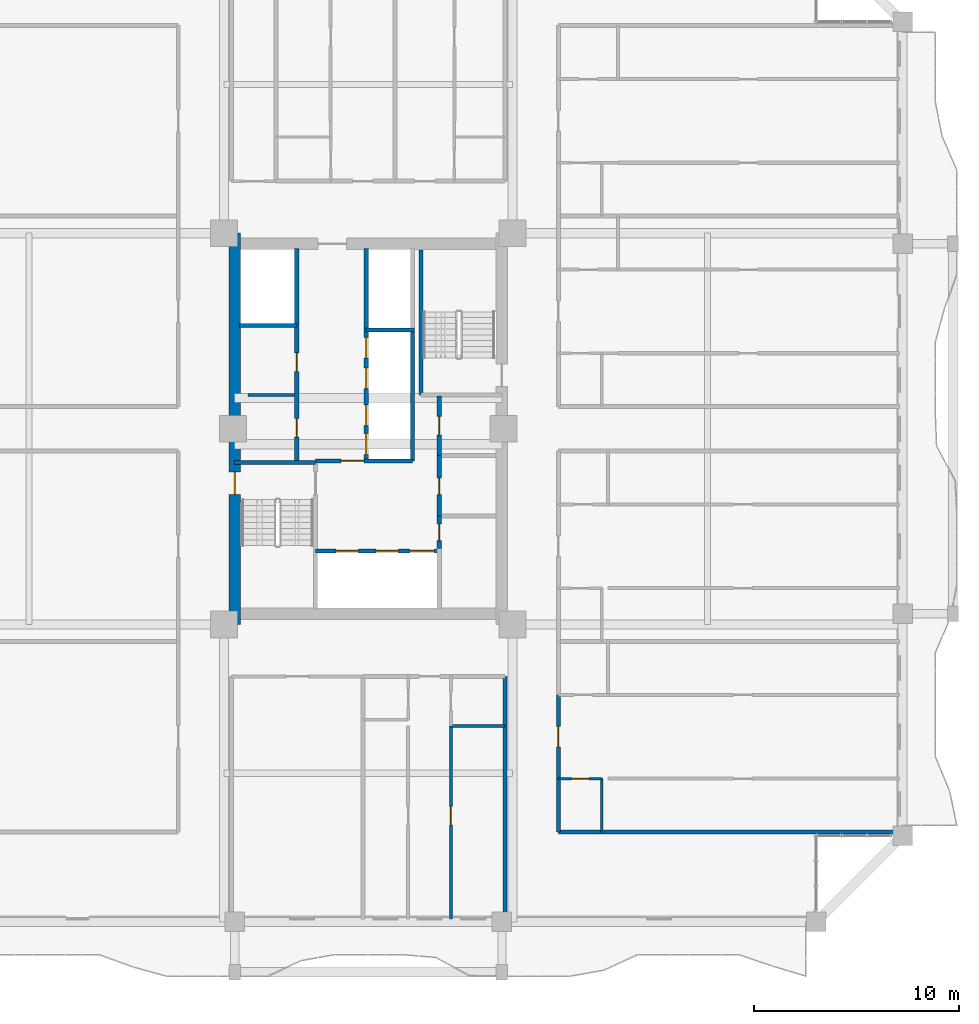
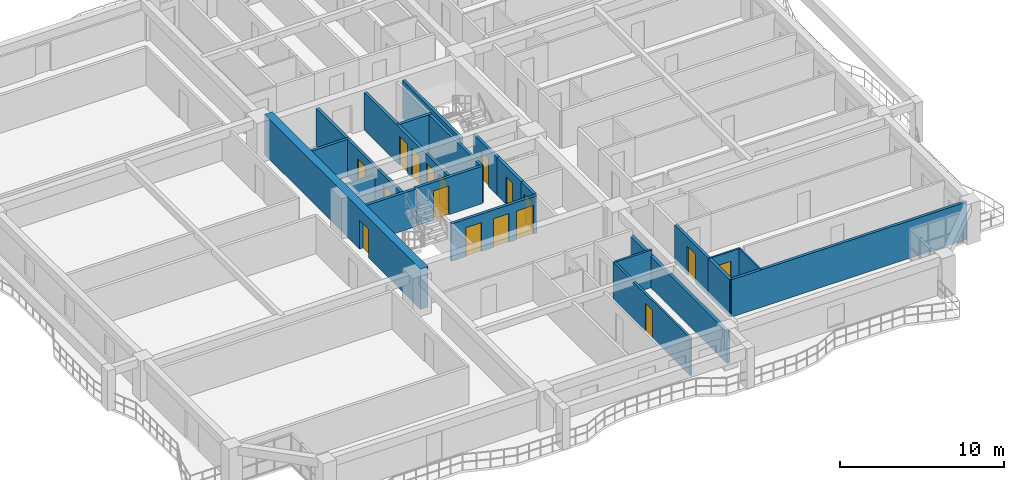
# One storey, part 15 of 24: 22 walls, 17 doors, 17 openings.
"""IFC4 building model written with IfcOpenShell, lengths in metres."""

import ifcopenshell
import ifcopenshell.guid

model = None  # the IFC model being written
_history = None  # IfcOwnerHistory: only IFC2X3 demands one
_inside = {}  # id of a spatial element -> (the spatial element, [elements in it])
_under = {}  # id of a project, library or spatial element -> (it, [spatial elements below it])
_declared = {}  # id of a project -> (the project, [libraries it declares])
_typed = {}  # id of a type object -> (the type object, [elements of that type])
_made_of = {}  # id of a material, layer set ... -> (it, [elements and type objects made of it])


def new_model(schema):
    """Start an empty IFC model of exactly this schema.

    Asked for "IFC4X3", IfcOpenShell would pick the latest addendum, in which some entities
    have other attributes; the version numbers below select the first issue.
    IFC2X3 requires an IfcOwnerHistory on every rooted entity: one is made here for all.
    """
    global model, _history
    if schema == "IFC4X3":
        model = ifcopenshell.file(schema_version=(4, 3, 0, 0))
    else:
        model = ifcopenshell.file(schema=schema)
    _inside.clear()
    _under.clear()
    _declared.clear()
    _typed.clear()
    _made_of.clear()
    _history = None
    if model.schema == "IFC2X3":
        org = make("IfcOrganization", Name="unknown")
        user = make(
            "IfcPersonAndOrganization",
            ThePerson=make("IfcPerson", FamilyName="unknown"),
            TheOrganization=org,
        )
        app = make(
            "IfcApplication",
            ApplicationDeveloper=org,
            Version="unknown",
            ApplicationFullName="unknown",
            ApplicationIdentifier="unknown",
        )
        _history = make(
            "IfcOwnerHistory",
            OwningUser=user,
            OwningApplication=app,
            ChangeAction="ADDED",
            CreationDate=0,
        )
    return model


def make(cls, **values):
    """One entity of the class cls with the attributes given. An attribute that is None is left unset."""
    return model.create_entity(
        cls, **{name: value for name, value in values.items() if value is not None}
    )


def rooted(cls, **values):
    """An entity with a GlobalId (a new one), such as an element, a storey or a relation."""
    return make(cls, GlobalId=ifcopenshell.guid.new(), OwnerHistory=_history, **values)


def si_unit(unit_type, name, prefix=None):
    """IfcSIUnit, for example si_unit("LENGTHUNIT", "METRE", prefix="MILLI")."""
    return make("IfcSIUnit", UnitType=unit_type, Prefix=prefix, Name=name)


def assignment(units):
    """IfcUnitAssignment: the units of a project."""
    return None if units is None else make("IfcUnitAssignment", Units=units)


def point(xyz):
    """IfcCartesianPoint."""
    return None if xyz is None else make("IfcCartesianPoint", Coordinates=xyz)


def direction(xyz):
    """IfcDirection."""
    return None if xyz is None else make("IfcDirection", DirectionRatios=xyz)


def frame(location, z_axis=None, x_axis=None):
    """IfcAxis2Placement3D, a coordinate frame: its origin and axes. An axis left out is left unset."""
    return make(
        "IfcAxis2Placement3D",
        Location=point(location),
        Axis=direction(z_axis),
        RefDirection=direction(x_axis),
    )


def frame_2d(location, x_axis=None):
    """IfcAxis2Placement2D, a coordinate frame in the plane: its origin and x axis."""
    return make(
        "IfcAxis2Placement2D", Location=point(location), RefDirection=direction(x_axis)
    )


def origin():
    """The frame at (0, 0, 0) with its axes left unset."""
    return frame((0.0, 0.0, 0.0))


def place(relative_to, where):
    """IfcLocalPlacement: puts the frame where relative to a parent placement (None: the world)."""
    return make(
        "IfcLocalPlacement", PlacementRelTo=relative_to, RelativePlacement=where
    )


def context(
    kind, dimensions, precision=None, world=None, true_north=None, identifier=None
):
    """IfcGeometricRepresentationContext, for example the 3D "Model" context."""
    return make(
        "IfcGeometricRepresentationContext",
        ContextIdentifier=identifier,
        ContextType=kind,
        CoordinateSpaceDimension=dimensions,
        Precision=precision,
        WorldCoordinateSystem=world,
        TrueNorth=true_north,
    )


def subcontext(parent, identifier, kind, view, scale=None):
    """IfcGeometricRepresentationSubContext, for example "Body" below "Model"."""
    return make(
        "IfcGeometricRepresentationSubContext",
        ContextIdentifier=identifier,
        ContextType=kind,
        ParentContext=parent,
        TargetScale=scale,
        TargetView=view,
    )


def project(units=None, contexts=None):
    """IfcProject with its units and contexts."""
    return rooted(
        "IfcProject",
        Name="project",
        RepresentationContexts=contexts,
        UnitsInContext=assignment(units),
    )


def spatial(cls, under=None, at=None, **own):
    """A site, building, storey or space (cls), placed at a placement, below another one or the project."""
    s = rooted(cls, ObjectPlacement=at, **own)
    if under is not None:
        _under.setdefault(under.id(), (under, []))[1].append(s)
    return s


def profile(cls, at=None, kind="AREA", **sizes):
    """A parametric profile (cls). Its sizes go by their IFC names, for example OverallWidth=200.0."""
    return make(cls, ProfileType=kind, Position=at, **sizes)


def rectangle(**sizes):
    """IfcRectangleProfileDef."""
    return profile("IfcRectangleProfileDef", **sizes)


def extrude(swept, where, along, depth):
    """IfcExtrudedAreaSolid: the profile swept, set in the frame where, extruded along a direction by depth."""
    return make(
        "IfcExtrudedAreaSolid",
        SweptArea=swept,
        Position=where,
        ExtrudedDirection=direction(along),
        Depth=depth,
    )


def shape(context_of_items, identifier, shape_type, items):
    """IfcShapeRepresentation: the items that make up one representation, for example the "Body"."""
    return make(
        "IfcShapeRepresentation",
        ContextOfItems=context_of_items,
        RepresentationIdentifier=identifier,
        RepresentationType=shape_type,
        Items=items,
    )


def source(mapping_origin, context_of_items, identifier, shape_type, items):
    """IfcRepresentationMap: a shape defined once, which mapped items show again and again."""
    return make(
        "IfcRepresentationMap",
        MappingOrigin=mapping_origin,
        MappedRepresentation=shape(context_of_items, identifier, shape_type, items),
    )


def transform(
    local_origin,
    x_axis=None,
    y_axis=None,
    z_axis=None,
    scale=None,
    scale2=None,
    scale3=None,
    uniform=True,
):
    """IfcCartesianTransformationOperator3D, or its non-uniform kind. x_axis, y_axis, z_axis: its Axis1, 2, 3."""
    if uniform:
        return make(
            "IfcCartesianTransformationOperator3D",
            Axis1=direction(x_axis),
            Axis2=direction(y_axis),
            LocalOrigin=point(local_origin),
            Scale=scale,
            Axis3=direction(z_axis),
        )
    return make(
        "IfcCartesianTransformationOperator3DnonUniform",
        Axis1=direction(x_axis),
        Axis2=direction(y_axis),
        LocalOrigin=point(local_origin),
        Scale=scale,
        Axis3=direction(z_axis),
        Scale2=scale2,
        Scale3=scale3,
    )


def mapped(mapping_source, mapping_target):
    """IfcMappedItem: shows the shape of a source again, moved by a transform."""
    return make(
        "IfcMappedItem", MappingSource=mapping_source, MappingTarget=mapping_target
    )


def material(Name=None, Category=None):
    """IfcMaterial."""
    return make("IfcMaterial", Name=Name, Category=Category)


def layer(
    of_material, thickness, ventilated=None, Name=None, Category=None, Priority=None
):
    """IfcMaterialLayer: one layer of a wall or slab, of a material (None: an air gap)."""
    return make(
        "IfcMaterialLayer",
        Material=of_material,
        LayerThickness=thickness,
        IsVentilated=ventilated,
        Name=Name,
        Category=Category,
        Priority=Priority,
    )


def layer_set(layers, Name=None):
    """IfcMaterialLayerSet."""
    return make("IfcMaterialLayerSet", MaterialLayers=layers, LayerSetName=Name)


def made_of(thing, what):
    """Note that an element or type object is made of a material, layer set ...; save() writes the relation."""
    if what is not None:
        _made_of.setdefault(what.id(), (what, []))[1].append(thing)
    return thing


def type_object(cls, material=None, **own):
    """A type object (cls), such as IfcWallType, which elements share."""
    return made_of(rooted(cls, **own), material)


def element(
    cls,
    number,
    at=None,
    inside=None,
    cuts=None,
    type_object=None,
    material=None,
    context=None,
    identifier="Body",
    shape_type=None,
    held_by="IfcProductDefinitionShape",
    body=None,
    shapes=None,
    **own,
):
    """One element of the class cls, such as IfcWall. Its Tag is "e" and its number.

    at: its placement. inside: the storey or other place that contains it. cuts: it is an
    opening in that element (IfcRelVoidsElement). A single representation is given by context,
    identifier, shape_type and body (its items); several are given by shapes. held_by: the class
    of the entity that holds the representations. save() writes the other relations.
    """
    e = rooted(cls, Tag="e%d" % number, ObjectPlacement=at, **own)
    if body is not None:
        shapes = [shape(context, identifier, shape_type, body)]
    if shapes is not None:
        e.Representation = make(held_by, Representations=shapes)
    if inside is not None:
        _inside.setdefault(inside.id(), (inside, []))[1].append(e)
    if cuts is not None:
        rooted(
            "IfcRelVoidsElement", RelatingBuildingElement=cuts, RelatedOpeningElement=e
        )
    if type_object is not None:
        _typed.setdefault(type_object.id(), (type_object, []))[1].append(e)
    return made_of(e, material)


def fill(opening, filler):
    """IfcRelFillsElement: the door or window that sits in an opening."""
    return rooted(
        "IfcRelFillsElement",
        RelatingOpeningElement=opening,
        RelatedBuildingElement=filler,
    )


def aggregate(whole, parts):
    """IfcRelAggregates: a whole, such as a stair, and the parts it consists of."""
    return rooted("IfcRelAggregates", RelatingObject=whole, RelatedObjects=parts)


def save(model, path):
    """Write the relations noted so far, then the file.

    IfcRelAggregates (storeys below a building ...), IfcRelContainedInSpatialStructure (elements
    in a storey), IfcRelDefinesByType, IfcRelAssociatesMaterial and IfcRelDeclares: one each for
    every whole, place, type object, material and project.
    """
    for whole, parts in _under.values():
        aggregate(whole, parts)
    for where, things in _inside.values():
        rooted(
            "IfcRelContainedInSpatialStructure",
            RelatedElements=things,
            RelatingStructure=where,
        )
    for kind, things in _typed.values():
        rooted("IfcRelDefinesByType", RelatedObjects=things, RelatingType=kind)
    for what, things in _made_of.values():
        rooted("IfcRelAssociatesMaterial", RelatedObjects=things, RelatingMaterial=what)
    for by, libraries in _declared.values():
        rooted("IfcRelDeclares", RelatingContext=by, RelatedDefinitions=libraries)
    model.write(path)


model = new_model("IFC4")

# Units and contexts
model_context = context("Model", 3, precision=1e-05, world=origin(), true_north=direction((0.0, 1.0)))
body_context = subcontext(model_context, "Body", "Model", "MODEL_VIEW")
ifc_project = project(units=[si_unit("LENGTHUNIT", "METRE"), si_unit("AREAUNIT", "SQUARE_METRE"), si_unit("VOLUMEUNIT", "CUBIC_METRE"), si_unit("PLANEANGLEUNIT", "RADIAN"), si_unit("MASSUNIT", "GRAM", prefix="KILO")], contexts=[model_context])

# Site, building, storey
site_placement = place(None, origin())
site = spatial("IfcSite", under=ifc_project, at=site_placement, CompositionType="ELEMENT")
building_placement = place(site_placement, origin())
building = spatial("IfcBuilding", under=site, at=building_placement, Name="Saelheon Loggia Tower", CompositionType="ELEMENT")
storey_placement = place(building_placement, frame((0.0, 0.0, 98.85009765625)))
storey = spatial("IfcBuildingStorey", under=building, at=storey_placement, Name="L31", CompositionType="ELEMENT", Elevation=98.85009765625)

# Wall, opening, door
ifc_material_1 = material(Name="Concrete C50/60", Category="concrete")
ifc_layer_1 = layer(ifc_material_1, 0.550048828125)
ifc_layer_set_1 = layer_set([ifc_layer_1], Name="Concrete C50/60")
wall_type_1 = type_object("IfcWallType", Name="Wall_CoreShear_550", PredefinedType="SHEAR", material=ifc_layer_set_1)
wall_1_placement = place(storey_placement, frame((31.5, 17.47998046875, 0.0), z_axis=(0.0, 0.0, 1.0), x_axis=(0.0, 1.0, 0.0)))
wall_1 = element("IfcWall", 1, at=wall_1_placement, inside=storey, type_object=wall_type_1, Name="L31 Core Shear Wall West", PredefinedType="SHEAR", context=body_context, shape_type="SweptSolid", body=[
    extrude(rectangle(XDim=19.0400390625, YDim=0.550048828125, at=frame_2d((9.52001953125, 0.0))), origin(), (0.0, 0.0, 1.0), 3.0),
])
opening_1_placement = place(wall_1_placement, frame((6.320068359375, 0.0, 0.0)))
opening_1 = element("IfcOpeningElement", 2, at=opening_1_placement, cuts=wall_1, Name="Opening D-FD2", PredefinedType="OPENING", context=body_context, shape_type="SweptSolid", body=[
    extrude(rectangle(XDim=1.10009765625, YDim=2.14990234375, at=frame_2d((0.550048828125, 1.074951171875))), frame((0.0, 0.287109375, 0.0), z_axis=(0.0, -1.0, 0.0), x_axis=(1.0, 0.0, 0.0)), (0.0, 0.0, 1.0), 0.573974609375),
])
ifc_material_2 = material(Name="Galvanised Steel Fire Door", Category="steel")
door_type_1 = type_object("IfcDoorType", Name="Door_Fire_FD60_1100", OperationType="NOTDEFINED", PredefinedType="DOOR", material=ifc_material_2)
shared_shape_1 = source(origin(), body_context, "Body", "SweptSolid", [
    extrude(rectangle(XDim=1.10009765625, YDim=2.14990234375, at=frame_2d((0.550048828125, 1.074951171875))), frame((0.0, 0.02490234375, 0.0), z_axis=(0.0, -1.0, 0.0), x_axis=(1.0, 0.0, 0.0)), (0.0, 0.0, 1.0), 0.050048828125),
])
door_1_placement = place(opening_1_placement, origin())
door_1 = element("IfcDoor", 3, at=door_1_placement, inside=storey, type_object=door_type_1, Name="L31 Stair ST1 Corridor Door", OperationType="SINGLE_SWING_LEFT", OverallHeight=2.14990234375, OverallWidth=1.10009765625, PredefinedType="DOOR", context=body_context, shape_type="MappedRepresentation", body=[
    mapped(shared_shape_1, transform((0.0, 0.0, 0.0), scale=1.0)),
])
fill(opening_1, door_1)

# Walls
ifc_material_3 = material(Name="Lightweight Autoclaved Aerated Concrete Block and Acoustic Gypsum", Category="concrete")
ifc_layer_2 = layer(ifc_material_3, 0.14990234375)
ifc_layer_set_2 = layer_set([ifc_layer_2], Name="Lightweight Autoclaved Aerated Concrete Block and Acoustic Gypsum")
wall_type_2 = type_object("IfcWallType", Name="Wall_Part_150", PredefinedType="PARTITIONING", material=ifc_layer_set_2)
wall_2_placement = place(storey_placement, frame((32.14990234375, 28.64990234375, 0.0), z_axis=(0.0, 0.0, 1.0), x_axis=(1.0, 0.0, 0.0)))
element("IfcWall", 4, at=wall_2_placement, inside=storey, type_object=wall_type_2, Name="L31 Freed Core Partition PL", PredefinedType="PARTITIONING", context=body_context, shape_type="SweptSolid", body=[
    extrude(rectangle(XDim=2.27001953125, YDim=0.14990234375, at=frame_2d((1.135009765625, 0.0))), origin(), (0.0, 0.0, 1.0), 2.139892578125),
])
wall_3_placement = place(storey_placement, frame((42.02197265625, 12.530029296875, 0.0), z_axis=(0.0, 0.0, 1.0), x_axis=(1.0, 0.0, 0.0)))
element("IfcWall", 5, at=wall_3_placement, inside=storey, type_object=wall_type_2, Name="L31 S Partition V09", PredefinedType="PARTITIONING", context=body_context, shape_type="SweptSolid", body=[
    extrude(rectangle(XDim=2.6279296875, YDim=0.14990234375, at=frame_2d((1.31396484375, 0.0))), origin(), (0.0, 0.0, 1.0), 2.789794921875),
])

# Wall, opening, door
wall_4_placement = place(storey_placement, frame((42.02197265625, 12.530029296875, 0.0), z_axis=(0.0, 0.0, 1.0), x_axis=(0.0, -1.0, 0.0)))
wall_4 = element("IfcWall", 6, at=wall_4_placement, inside=storey, type_object=wall_type_2, Name="L31 S Partition U13", PredefinedType="PARTITIONING", context=body_context, shape_type="SweptSolid", body=[
    extrude(rectangle(XDim=9.380126953125, YDim=0.14990234375, at=frame_2d((4.68994140625, 0.0))), origin(), (0.0, 0.0, 1.0), 2.789794921875),
])
opening_2_placement = place(wall_4_placement, frame((3.90673828125, 0.0, 0.0)))
opening_2 = element("IfcOpeningElement", 7, at=opening_2_placement, cuts=wall_4, Name="Opening D-IN2", PredefinedType="OPENING", context=body_context, shape_type="SweptSolid", body=[
    extrude(rectangle(XDim=0.89990234375, YDim=2.10009765625, at=frame_2d((0.449951171875, 1.050048828125))), frame((0.0, 0.0869140625, 0.0), z_axis=(0.0, -1.0, 0.0), x_axis=(1.0, 0.0, 0.0)), (0.0, 0.0, 1.0), 0.173828125),
])
ifc_material_4 = material(Name="Engineered Oak Flush Door", Category="timber")
door_type_2 = type_object("IfcDoorType", Name="Door_Int_900", OperationType="NOTDEFINED", PredefinedType="DOOR", material=ifc_material_4)
shared_shape_2 = source(origin(), body_context, "Body", "SweptSolid", [
    extrude(rectangle(XDim=0.89990234375, YDim=2.10009765625, at=frame_2d((0.449951171875, 1.050048828125))), frame((0.0, 0.02490234375, 0.0), z_axis=(0.0, -1.0, 0.0), x_axis=(1.0, 0.0, 0.0)), (0.0, 0.0, 1.0), 0.050048828125),
])
door_2_placement = place(opening_2_placement, origin())
door_2 = element("IfcDoor", 8, at=door_2_placement, inside=storey, type_object=door_type_2, Name="Unit U01 Bedroom 1 Door", OperationType="SINGLE_SWING_RIGHT", OverallHeight=2.10009765625, OverallWidth=0.89990234375, PredefinedType="DOOR", context=body_context, shape_type="MappedRepresentation", body=[
    mapped(shared_shape_2, transform((0.0, 0.0, 0.0), scale=1.0)),
])
fill(opening_2, door_2)

# Walls
ifc_material_5 = material(Name="Double Acoustic Stud and Fireboard Partition", Category="gypsum")
ifc_layer_3 = layer(ifc_material_5, 0.199951171875)
ifc_layer_set_3 = layer_set([ifc_layer_3], Name="Double Acoustic Stud and Fireboard Partition")
wall_type_3 = type_object("IfcWallType", Name="Wall_Party_200", PredefinedType="PARTITIONING", material=ifc_layer_set_3)
wall_5_placement = place(storey_placement, frame((44.64990234375, 14.949951171875, 0.0), z_axis=(0.0, 0.0, 1.0), x_axis=(0.0, -1.0, 0.0)))
element("IfcWall", 9, at=wall_5_placement, inside=storey, type_object=wall_type_3, Name="L31 S Partition U02", PredefinedType="PARTITIONING", context=body_context, shape_type="SweptSolid", body=[
    extrude(rectangle(XDim=11.800048828125, YDim=0.199951171875, at=frame_2d((5.89990234375, 0.0))), origin(), (0.0, 0.0, 1.0), 2.33984375),
])
wall_6_placement = place(storey_placement, frame((47.25, 7.3798828125, 0.0), z_axis=(0.0, 0.0, 1.0), x_axis=(1.0, 0.0, 0.0)))
element("IfcWall", 10, at=wall_6_placement, inside=storey, type_object=wall_type_3, Name="L31 ES Partition U01", PredefinedType="PARTITIONING", context=body_context, shape_type="SweptSolid", body=[
    extrude(rectangle(XDim=16.60009765625, YDim=0.199951171875, at=frame_2d((8.300048828125, 0.0))), origin(), (0.0, 0.0, 1.0), 2.789794921875),
])
wall_7_placement = place(storey_placement, frame((47.25, 7.3798828125, 0.0), z_axis=(0.0, 0.0, 1.0), x_axis=(0.0, 1.0, 0.0)))
element("IfcWall", 11, at=wall_7_placement, inside=storey, type_object=wall_type_3, Name="L31 ES Partition V03", PredefinedType="PARTITIONING", context=body_context, shape_type="SweptSolid", body=[
    extrude(rectangle(XDim=2.595703125, YDim=0.199951171875, at=frame_2d((1.2978515625, 0.0))), origin(), (0.0, 0.0, 1.0), 2.789794921875),
])

# Wall, opening, door
wall_8_placement = place(storey_placement, frame((47.25, 9.9755859375, 0.0), z_axis=(0.0, 0.0, 1.0), x_axis=(0.0, 1.0, 0.0)))
wall_8 = element("IfcWall", 12, at=wall_8_placement, inside=storey, type_object=wall_type_3, Name="L31 ES Partition V04", PredefinedType="PARTITIONING", context=body_context, shape_type="SweptSolid", body=[
    extrude(rectangle(XDim=4.074462890625, YDim=0.199951171875, at=frame_2d((2.037109375, 0.0))), origin(), (0.0, 0.0, 1.0), 2.789794921875),
])
opening_3_placement = place(wall_8_placement, frame((1.537109375, 0.0, 0.0)))
opening_3 = element("IfcOpeningElement", 13, at=opening_3_placement, cuts=wall_8, Name="Opening D-FD1", PredefinedType="OPENING", context=body_context, shape_type="SweptSolid", body=[
    extrude(rectangle(XDim=1.0, YDim=2.14990234375, at=frame_2d((0.5, 1.074951171875))), frame((0.0, 0.112060546875, 0.0), z_axis=(0.0, -1.0, 0.0), x_axis=(1.0, 0.0, 0.0)), (0.0, 0.0, 1.0), 0.223876953125),
])
ifc_material_6 = material(Name="Fire-Rated Engineered Timber Entrance Door", Category="wood")
door_type_3 = type_object("IfcDoorType", Name="Door_Flat_FD30S", OperationType="NOTDEFINED", PredefinedType="DOOR", material=ifc_material_6)
shared_shape_3 = source(origin(), body_context, "Body", "SweptSolid", [
    extrude(rectangle(XDim=1.0, YDim=2.14990234375, at=frame_2d((0.5, 1.074951171875))), frame((0.0, 0.02490234375, 0.0), z_axis=(0.0, -1.0, 0.0), x_axis=(1.0, 0.0, 0.0)), (0.0, 0.0, 1.0), 0.050048828125),
])
door_3_placement = place(opening_3_placement, origin())
door_3 = element("IfcDoor", 14, at=door_3_placement, inside=storey, type_object=door_type_3, Name="Unit U04 Entrance Door", OperationType="SINGLE_SWING_RIGHT", OverallHeight=2.14990234375, OverallWidth=1.0, PredefinedType="DOOR", context=body_context, shape_type="MappedRepresentation", body=[
    mapped(shared_shape_3, transform((0.0, 0.0, 0.0), scale=1.0)),
])
fill(opening_3, door_3)

ifc_material_7 = material(Name="Concrete C40/50", Category="concrete")
ifc_layer_4 = layer(ifc_material_7, 0.199951171875)
ifc_layer_set_4 = layer_set([ifc_layer_4], Name="Concrete C40/50")
wall_type_4 = type_object("IfcWallType", Name="Wall_Shaft_200", PredefinedType="PARTITIONING", material=ifc_layer_set_4)
wall_9_placement = place(storey_placement, frame((41.449951171875, 21.179931640625, 0.0), z_axis=(0.0, 0.0, 1.0), x_axis=(0.0, 1.0, 0.0)))
wall_9 = element("IfcWall", 15, at=wall_9_placement, inside=storey, type_object=wall_type_4, Name="CW-INT-L31-BOH-W1", PredefinedType="PARTITIONING", context=body_context, shape_type="SweptSolid", body=[
    extrude(rectangle(XDim=1.570068359375, YDim=0.199951171875, at=frame_2d((0.78515625, 0.0))), origin(), (0.0, 0.0, 1.0), 2.789794921875),
])
opening_4_placement = place(wall_9_placement, frame((0.3798828125, 0.0, 0.0)))
opening_4 = element("IfcOpeningElement", 16, at=opening_4_placement, cuts=wall_9, Name="Opening D-ST1", PredefinedType="OPENING", context=body_context, shape_type="SweptSolid", body=[
    extrude(rectangle(XDim=0.800048828125, YDim=2.050048828125, at=frame_2d((0.39990234375, 1.02490234375))), frame((0.0, 0.112060546875, 0.0), z_axis=(0.0, -1.0, 0.0), x_axis=(1.0, 0.0, 0.0)), (0.0, 0.0, 1.0), 0.223876953125),
])
ifc_material_8 = material(Name="Powder-Coated Steel Store Door", Category="steel")
door_type_4 = type_object("IfcDoorType", Name="Door_Store_800", OperationType="NOTDEFINED", PredefinedType="DOOR", material=ifc_material_8)
shared_shape_4 = source(origin(), body_context, "Body", "SweptSolid", [
    extrude(rectangle(XDim=0.800048828125, YDim=2.050048828125, at=frame_2d((0.39990234375, 1.02490234375))), frame((0.0, 0.02490234375, 0.0), z_axis=(0.0, -1.0, 0.0), x_axis=(1.0, 0.0, 0.0)), (0.0, 0.0, 1.0), 0.050048828125),
])
door_4_placement = place(opening_4_placement, origin())
door_4 = element("IfcDoor", 17, at=door_4_placement, inside=storey, type_object=door_type_4, Name="L31 Cleaner Store Door", OperationType="SINGLE_SWING_RIGHT", OverallHeight=2.050048828125, OverallWidth=0.800048828125, PredefinedType="DOOR", context=body_context, shape_type="MappedRepresentation", body=[
    mapped(shared_shape_4, transform((0.0, 0.0, 0.0), scale=1.0)),
])
fill(opening_4, door_4)

wall_10_placement = place(storey_placement, frame((41.449951171875, 22.75, 0.0), z_axis=(0.0, 0.0, 1.0), x_axis=(0.0, 1.0, 0.0)))
wall_10 = element("IfcWall", 18, at=wall_10_placement, inside=storey, type_object=wall_type_4, Name="CW-INT-L31-BOH-W2", PredefinedType="PARTITIONING", context=body_context, shape_type="SweptSolid", body=[
    extrude(rectangle(XDim=2.949951171875, YDim=0.199951171875, at=frame_2d((1.47509765625, 0.0))), origin(), (0.0, 0.0, 1.0), 2.789794921875),
])
opening_5_placement = place(wall_10_placement, frame((1.050048828125, 0.0, 0.0)))
opening_5 = element("IfcOpeningElement", 19, at=opening_5_placement, cuts=wall_10, Name="Opening D-ST1", PredefinedType="OPENING", context=body_context, shape_type="SweptSolid", body=[
    extrude(rectangle(XDim=0.800048828125, YDim=2.050048828125, at=frame_2d((0.39990234375, 1.02490234375))), frame((0.0, 0.112060546875, 0.0), z_axis=(0.0, -1.0, 0.0), x_axis=(1.0, 0.0, 0.0)), (0.0, 0.0, 1.0), 0.223876953125),
])
door_5_placement = place(opening_5_placement, origin())
door_5 = element("IfcDoor", 20, at=door_5_placement, inside=storey, type_object=door_type_4, Name="L31 Electrical Riser Door", OperationType="SINGLE_SWING_LEFT", OverallHeight=2.050048828125, OverallWidth=0.800048828125, PredefinedType="DOOR", context=body_context, shape_type="MappedRepresentation", body=[
    mapped(shared_shape_4, transform((0.0, 0.0, 0.0), scale=1.0)),
])
fill(opening_5, door_5)

wall_11_placement = place(storey_placement, frame((41.449951171875, 25.699951171875, 0.0), z_axis=(0.0, 0.0, 1.0), x_axis=(0.0, 1.0, 0.0)))
wall_11 = element("IfcWall", 21, at=wall_11_placement, inside=storey, type_object=wall_type_4, Name="CW-INT-L31-BOH-W3", PredefinedType="PARTITIONING", context=body_context, shape_type="SweptSolid", body=[
    extrude(rectangle(XDim=2.900146484375, YDim=0.199951171875, at=frame_2d((1.4501953125, 0.0))), origin(), (0.0, 0.0, 1.0), 2.789794921875),
])
opening_6_placement = place(wall_11_placement, frame((1.0, 0.0, 0.0)))
opening_6 = element("IfcOpeningElement", 22, at=opening_6_placement, cuts=wall_11, Name="Opening D-RS1", PredefinedType="OPENING", context=body_context, shape_type="SweptSolid", body=[
    extrude(rectangle(XDim=0.89990234375, YDim=2.10009765625, at=frame_2d((0.449951171875, 1.050048828125))), frame((0.0, 0.112060546875, 0.0), z_axis=(0.0, -1.0, 0.0), x_axis=(1.0, 0.0, 0.0)), (0.0, 0.0, 1.0), 0.223876953125),
])
ifc_material_9 = material(Name="Galvanised Steel Riser Access Door", Category="steel")
door_type_5 = type_object("IfcDoorType", Name="Door_Riser_FD60", OperationType="NOTDEFINED", PredefinedType="DOOR", material=ifc_material_9)
door_6_placement = place(opening_6_placement, origin())
door_6 = element("IfcDoor", 23, at=door_6_placement, inside=storey, type_object=door_type_5, Name="L31 Floor IT Room Door", OperationType="SINGLE_SWING_RIGHT", OverallHeight=2.10009765625, OverallWidth=0.89990234375, PredefinedType="DOOR", context=body_context, shape_type="MappedRepresentation", body=[
    mapped(shared_shape_2, transform((0.0, 0.0, 0.0), scale=1.0)),
])
fill(opening_6, door_6)

# Wall
wall_12_placement = place(storey_placement, frame((40.14990234375, 25.43994140625, 0.0), z_axis=(0.0, 0.0, 1.0), x_axis=(0.0, 1.0, 0.0)))
element("IfcWall", 24, at=wall_12_placement, inside=storey, type_object=wall_type_4, Name="L31 Core Service Passage West Wall", PredefinedType="PARTITIONING", context=body_context, shape_type="SweptSolid", body=[
    extrude(rectangle(XDim=6.360107421875, YDim=0.199951171875, at=frame_2d((3.18017578125, 0.0))), origin(), (0.0, 0.0, 1.0), 2.789794921875),
])

# Wall, openings, doors
wall_13_placement = place(storey_placement, frame((35.429931640625, 21.06005859375, 0.0), z_axis=(0.0, 0.0, 1.0), x_axis=(1.0, 0.0, 0.0)))
wall_13 = element("IfcWall", 25, at=wall_13_placement, inside=storey, type_object=wall_type_4, Name="L31 Firefighting Lift Shaft Front Wall", PredefinedType="PARTITIONING", context=body_context, shape_type="SweptSolid", body=[
    extrude(rectangle(XDim=6.02001953125, YDim=0.199951171875, at=frame_2d((3.010009765625, 0.0))), origin(), (0.0, 0.0, 1.0), 2.789794921875),
])
opening_7_placement = place(wall_13_placement, frame((1.0, 0.0, 0.0)))
opening_7 = element("IfcOpeningElement", 26, at=opening_7_placement, cuts=wall_13, Name="Opening LD2", PredefinedType="OPENING", context=body_context, shape_type="SweptSolid", body=[
    extrude(rectangle(XDim=1.10009765625, YDim=2.14990234375, at=frame_2d((0.550048828125, 1.074951171875))), frame((0.0, 0.112060546875, 0.0), z_axis=(0.0, -1.0, 0.0), x_axis=(1.0, 0.0, 0.0)), (0.0, 0.0, 1.0), 0.223876953125),
])
opening_8_placement = place(wall_13_placement, frame((2.949951171875, 0.0, 0.0)))
opening_8 = element("IfcOpeningElement", 27, at=opening_8_placement, cuts=wall_13, Name="Opening LD2", PredefinedType="OPENING", context=body_context, shape_type="SweptSolid", body=[
    extrude(rectangle(XDim=1.10009765625, YDim=2.14990234375, at=frame_2d((0.550048828125, 1.074951171875))), frame((0.0, 0.112060546875, 0.0), z_axis=(0.0, -1.0, 0.0), x_axis=(1.0, 0.0, 0.0)), (0.0, 0.0, 1.0), 0.223876953125),
])
opening_9_placement = place(wall_13_placement, frame((4.580078125, 0.0, 0.0)))
opening_9 = element("IfcOpeningElement", 28, at=opening_9_placement, cuts=wall_13, Name="Opening LD3", PredefinedType="OPENING", context=body_context, shape_type="SweptSolid", body=[
    extrude(rectangle(XDim=1.199951171875, YDim=2.14990234375, at=frame_2d((0.60009765625, 1.074951171875))), frame((0.0, 0.112060546875, 0.0), z_axis=(0.0, -1.0, 0.0), x_axis=(1.0, 0.0, 0.0)), (0.0, 0.0, 1.0), 0.223876953125),
])
ifc_material_10 = material(Name="Firefighting Stainless Steel 316 Landing Door", Category="steel")
door_type_6 = type_object("IfcDoorType", Name="Door_Lift_LD2", OperationType="DOUBLE_DOOR_SLIDING", PredefinedType="DOOR", material=ifc_material_10)
door_7_placement = place(opening_7_placement, origin())
door_7 = element("IfcDoor", 29, at=door_7_placement, inside=storey, type_object=door_type_6, Name="L31 FF1 Landing Door", OperationType="DOUBLE_DOOR_SLIDING", OverallHeight=2.14990234375, OverallWidth=1.10009765625, PredefinedType="DOOR", context=body_context, shape_type="MappedRepresentation", body=[
    mapped(shared_shape_1, transform((0.0, 0.0, 0.0), scale=1.0)),
])
fill(opening_7, door_7)
door_8_placement = place(opening_8_placement, origin())
door_8 = element("IfcDoor", 30, at=door_8_placement, inside=storey, type_object=door_type_6, Name="L31 FF2 Landing Door", OperationType="DOUBLE_DOOR_SLIDING", OverallHeight=2.14990234375, OverallWidth=1.10009765625, PredefinedType="DOOR", context=body_context, shape_type="MappedRepresentation", body=[
    mapped(shared_shape_1, transform((0.0, 0.0, 0.0), scale=1.0)),
])
fill(opening_8, door_8)
ifc_material_11 = material(Name="Stretcher Lift Stainless Steel 304 Landing Door", Category="steel")
door_type_7 = type_object("IfcDoorType", Name="Door_Lift_LD3", OperationType="DOUBLE_DOOR_SLIDING", PredefinedType="DOOR", material=ifc_material_11)
shared_shape_5 = source(origin(), body_context, "Body", "SweptSolid", [
    extrude(rectangle(XDim=1.199951171875, YDim=2.14990234375, at=frame_2d((0.60009765625, 1.074951171875))), frame((0.0, 0.02490234375, 0.0), z_axis=(0.0, -1.0, 0.0), x_axis=(1.0, 0.0, 0.0)), (0.0, 0.0, 1.0), 0.050048828125),
])
door_9_placement = place(opening_9_placement, origin())
door_9 = element("IfcDoor", 31, at=door_9_placement, inside=storey, type_object=door_type_7, Name="L31 SV1 Landing Door", OperationType="DOUBLE_DOOR_SLIDING", OverallHeight=2.14990234375, OverallWidth=1.199951171875, PredefinedType="DOOR", context=body_context, shape_type="MappedRepresentation", body=[
    mapped(shared_shape_5, transform((0.0, 0.0, 0.0), scale=1.0)),
])
fill(opening_9, door_9)

# Wall, opening, door
wall_14_placement = place(storey_placement, frame((35.429931640625, 25.43994140625, 0.0), z_axis=(0.0, 0.0, 1.0), x_axis=(1.0, 0.0, 0.0)))
wall_14 = element("IfcWall", 32, at=wall_14_placement, inside=storey, type_object=wall_type_4, Name="L31 Firefighting Lobby Compartment Wall", PredefinedType="PARTITIONING", context=body_context, shape_type="SweptSolid", body=[
    extrude(rectangle(XDim=4.719970703125, YDim=0.199951171875, at=frame_2d((2.35986328125, 0.0))), origin(), (0.0, 0.0, 1.0), 2.789794921875),
])
opening_10_placement = place(wall_14_placement, frame((1.25, 0.0, 0.0)))
opening_10 = element("IfcOpeningElement", 33, at=opening_10_placement, cuts=wall_14, Name="Opening D-FD2", PredefinedType="OPENING", context=body_context, shape_type="SweptSolid", body=[
    extrude(rectangle(XDim=1.10009765625, YDim=2.14990234375, at=frame_2d((0.550048828125, 1.074951171875))), frame((0.0, 0.112060546875, 0.0), z_axis=(0.0, -1.0, 0.0), x_axis=(1.0, 0.0, 0.0)), (0.0, 0.0, 1.0), 0.223876953125),
])
door_10_placement = place(opening_10_placement, origin())
door_10 = element("IfcDoor", 34, at=door_10_placement, inside=storey, type_object=door_type_1, Name="L31 Firefighting Lobby Door", OperationType="SINGLE_SWING_LEFT", OverallHeight=2.14990234375, OverallWidth=1.10009765625, PredefinedType="DOOR", context=body_context, shape_type="MappedRepresentation", body=[
    mapped(shared_shape_1, transform((0.0, 0.0, 0.0), scale=1.0)),
])
fill(opening_10, door_10)

# Wall, openings, doors
wall_15_placement = place(storey_placement, frame((34.52001953125, 25.43994140625, 0.0), z_axis=(0.0, 0.0, 1.0), x_axis=(0.0, 1.0, 0.0)))
wall_15 = element("IfcWall", 35, at=wall_15_placement, inside=storey, type_object=wall_type_4, Name="L31 West Passenger Lift Bank Wall", PredefinedType="PARTITIONING", context=body_context, shape_type="SweptSolid", body=[
    extrude(rectangle(XDim=10.340087890625, YDim=0.199951171875, at=frame_2d((5.169921875, 0.0))), origin(), (0.0, 0.0, 1.0), 2.789794921875),
])
opening_11_placement = place(wall_15_placement, frame((1.14990234375, 0.0, 0.0)))
opening_11 = element("IfcOpeningElement", 36, at=opening_11_placement, cuts=wall_15, Name="Opening D-RS1", PredefinedType="OPENING", context=body_context, shape_type="SweptSolid", body=[
    extrude(rectangle(XDim=0.89990234375, YDim=2.10009765625, at=frame_2d((0.449951171875, 1.050048828125))), frame((0.0, 0.112060546875, 0.0), z_axis=(0.0, -1.0, 0.0), x_axis=(1.0, 0.0, 0.0)), (0.0, 0.0, 1.0), 0.223876953125),
])
opening_12_placement = place(wall_15_placement, frame((4.35009765625, 0.0, 0.0)))
opening_12 = element("IfcOpeningElement", 37, at=opening_12_placement, cuts=wall_15, Name="Opening D-RS1", PredefinedType="OPENING", context=body_context, shape_type="SweptSolid", body=[
    extrude(rectangle(XDim=0.89990234375, YDim=2.10009765625, at=frame_2d((0.449951171875, 1.050048828125))), frame((0.0, 0.112060546875, 0.0), z_axis=(0.0, -1.0, 0.0), x_axis=(1.0, 0.0, 0.0)), (0.0, 0.0, 1.0), 0.223876953125),
])
door_11_placement = place(opening_11_placement, origin())
door_11 = element("IfcDoor", 38, at=door_11_placement, inside=storey, type_object=door_type_5, Name="L31 Parcel Store Door", OperationType="SINGLE_SWING_LEFT", OverallHeight=2.10009765625, OverallWidth=0.89990234375, PredefinedType="DOOR", context=body_context, shape_type="MappedRepresentation", body=[
    mapped(shared_shape_2, transform((0.0, 0.0, 0.0), scale=1.0)),
])
fill(opening_11, door_11)
door_12_placement = place(opening_12_placement, origin())
door_12 = element("IfcDoor", 39, at=door_12_placement, inside=storey, type_object=door_type_5, Name="L31 Smart Metering Door", OperationType="SINGLE_SWING_RIGHT", OverallHeight=2.10009765625, OverallWidth=0.89990234375, PredefinedType="DOOR", context=body_context, shape_type="MappedRepresentation", body=[
    mapped(shared_shape_2, transform((0.0, 0.0, 0.0), scale=1.0)),
])
fill(opening_12, door_12)

# Wall
wall_16_placement = place(storey_placement, frame((31.719970703125, 32.02001953125, 0.0), z_axis=(0.0, 0.0, 1.0), x_axis=(1.0, 0.0, 0.0)))
element("IfcWall", 40, at=wall_16_placement, inside=storey, type_object=wall_type_4, Name="L31 West High-Rise Shaft Divider", PredefinedType="PARTITIONING", context=body_context, shape_type="SweptSolid", body=[
    extrude(rectangle(XDim=2.800048828125, YDim=0.199951171875, at=frame_2d((1.39990234375, 0.0))), origin(), (0.0, 0.0, 1.0), 2.789794921875),
])

# Wall, openings, doors
wall_17_placement = place(storey_placement, frame((37.89990234375, 25.43994140625, 0.0), z_axis=(0.0, 0.0, 1.0), x_axis=(0.0, 1.0, 0.0)))
wall_17 = element("IfcWall", 41, at=wall_17_placement, inside=storey, type_object=wall_type_4, Name="L31 East Passenger Lift Bank Wall", PredefinedType="PARTITIONING", context=body_context, shape_type="SweptSolid", body=[
    extrude(rectangle(XDim=10.340087890625, YDim=0.199951171875, at=frame_2d((5.169921875, 0.0))), origin(), (0.0, 0.0, 1.0), 2.789794921875),
])
opening_13_placement = place(wall_17_placement, frame((0.320068359375, 0.0, 0.0)))
opening_13 = element("IfcOpeningElement", 42, at=opening_13_placement, cuts=wall_17, Name="Opening LD1", PredefinedType="OPENING", context=body_context, shape_type="SweptSolid", body=[
    extrude(rectangle(XDim=1.0, YDim=2.14990234375, at=frame_2d((0.5, 1.074951171875))), frame((0.0, 0.112060546875, 0.0), z_axis=(0.0, -1.0, 0.0), x_axis=(1.0, 0.0, 0.0)), (0.0, 0.0, 1.0), 0.223876953125),
])
opening_14_placement = place(wall_17_placement, frame((1.7099609375, 0.0, 0.0)))
opening_14 = element("IfcOpeningElement", 43, at=opening_14_placement, cuts=wall_17, Name="Opening LD1", PredefinedType="OPENING", context=body_context, shape_type="SweptSolid", body=[
    extrude(rectangle(XDim=1.0, YDim=2.14990234375, at=frame_2d((0.5, 1.074951171875))), frame((0.0, 0.112060546875, 0.0), z_axis=(0.0, -1.0, 0.0), x_axis=(1.0, 0.0, 0.0)), (0.0, 0.0, 1.0), 0.223876953125),
])
opening_15_placement = place(wall_17_placement, frame((3.510009765625, 0.0, 0.0)))
opening_15 = element("IfcOpeningElement", 44, at=opening_15_placement, cuts=wall_17, Name="Opening LD1", PredefinedType="OPENING", context=body_context, shape_type="SweptSolid", body=[
    extrude(rectangle(XDim=1.0, YDim=2.14990234375, at=frame_2d((0.5, 1.074951171875))), frame((0.0, 0.112060546875, 0.0), z_axis=(0.0, -1.0, 0.0), x_axis=(1.0, 0.0, 0.0)), (0.0, 0.0, 1.0), 0.223876953125),
])
opening_16_placement = place(wall_17_placement, frame((5.010009765625, 0.0, 0.0)))
opening_16 = element("IfcOpeningElement", 45, at=opening_16_placement, cuts=wall_17, Name="Opening LD1", PredefinedType="OPENING", context=body_context, shape_type="SweptSolid", body=[
    extrude(rectangle(XDim=1.0, YDim=2.14990234375, at=frame_2d((0.5, 1.074951171875))), frame((0.0, 0.112060546875, 0.0), z_axis=(0.0, -1.0, 0.0), x_axis=(1.0, 0.0, 0.0)), (0.0, 0.0, 1.0), 0.223876953125),
])
ifc_material_12 = material(Name="Brushed Stainless Steel 304 Landing Door", Category="steel")
door_type_8 = type_object("IfcDoorType", Name="Door_Lift_LD1", OperationType="DOUBLE_DOOR_SLIDING", PredefinedType="DOOR", material=ifc_material_12)
door_13_placement = place(opening_13_placement, origin())
door_13 = element("IfcDoor", 46, at=door_13_placement, inside=storey, type_object=door_type_8, Name="L31 PM1 Landing Door", OperationType="DOUBLE_DOOR_SLIDING", OverallHeight=2.14990234375, OverallWidth=1.0, PredefinedType="DOOR", context=body_context, shape_type="MappedRepresentation", body=[
    mapped(shared_shape_3, transform((0.0, 0.0, 0.0), scale=1.0)),
])
fill(opening_13, door_13)
door_14_placement = place(opening_14_placement, origin())
door_14 = element("IfcDoor", 47, at=door_14_placement, inside=storey, type_object=door_type_8, Name="L31 PM2 Landing Door", OperationType="DOUBLE_DOOR_SLIDING", OverallHeight=2.14990234375, OverallWidth=1.0, PredefinedType="DOOR", context=body_context, shape_type="MappedRepresentation", body=[
    mapped(shared_shape_3, transform((0.0, 0.0, 0.0), scale=1.0)),
])
fill(opening_14, door_14)
door_15_placement = place(opening_15_placement, origin())
door_15 = element("IfcDoor", 48, at=door_15_placement, inside=storey, type_object=door_type_8, Name="L31 PM3 Landing Door", OperationType="DOUBLE_DOOR_SLIDING", OverallHeight=2.14990234375, OverallWidth=1.0, PredefinedType="DOOR", context=body_context, shape_type="MappedRepresentation", body=[
    mapped(shared_shape_3, transform((0.0, 0.0, 0.0), scale=1.0)),
])
fill(opening_15, door_15)
door_16_placement = place(opening_16_placement, origin())
door_16 = element("IfcDoor", 49, at=door_16_placement, inside=storey, type_object=door_type_8, Name="L31 PM4 Landing Door", OperationType="DOUBLE_DOOR_SLIDING", OverallHeight=2.14990234375, OverallWidth=1.0, PredefinedType="DOOR", context=body_context, shape_type="MappedRepresentation", body=[
    mapped(shared_shape_3, transform((0.0, 0.0, 0.0), scale=1.0)),
])
fill(opening_16, door_16)

# Walls
wall_18_placement = place(storey_placement, frame((37.89990234375, 31.800048828125, 0.0), z_axis=(0.0, 0.0, 1.0), x_axis=(1.0, 0.0, 0.0)))
element("IfcWall", 50, at=wall_18_placement, inside=storey, type_object=wall_type_4, Name="L31 East High-Rise Shaft Divider", PredefinedType="PARTITIONING", context=body_context, shape_type="SweptSolid", body=[
    extrude(rectangle(XDim=2.35009765625, YDim=0.199951171875, at=frame_2d((1.175048828125, 0.0))), origin(), (0.0, 0.0, 1.0), 2.789794921875),
])
ifc_material_13 = material(Name="Concrete C45/55", Category="concrete")
ifc_layer_5 = layer(ifc_material_13, 0.199951171875)
ifc_layer_set_5 = layer_set([ifc_layer_5], Name="Concrete C45/55")
wall_type_5 = type_object("IfcWallType", Name="Wall_StairShaft_RC200", PredefinedType="SOLIDWALL", material=ifc_layer_set_5)
wall_19_placement = place(storey_placement, frame((31.5, 25.35009765625, 0.0), z_axis=(0.0, 0.0, 1.0), x_axis=(1.0, 0.0, 0.0)))
element("IfcWall", 51, at=wall_19_placement, inside=storey, type_object=wall_type_5, Name="L31 Stair ST1 North Wall", PredefinedType="SOLIDWALL", context=body_context, shape_type="SweptSolid", body=[
    extrude(rectangle(XDim=3.929931640625, YDim=0.199951171875, at=frame_2d((1.96484375, 0.0))), origin(), (0.0, 0.0, 1.0), 2.789794921875),
])
wall_20_placement = place(storey_placement, frame((40.570068359375, 28.64990234375, 0.0), z_axis=(0.0, 0.0, 1.0), x_axis=(0.0, 1.0, 0.0)))
element("IfcWall", 52, at=wall_20_placement, inside=storey, type_object=wall_type_5, Name="L31 Stair ST2 Shaft Wall", PredefinedType="SOLIDWALL", context=body_context, shape_type="SweptSolid", body=[
    extrude(rectangle(XDim=7.050048828125, YDim=0.199951171875, at=frame_2d((3.52490234375, 0.0))), origin(), (0.0, 0.0, 1.0), 2.789794921875),
])
ifc_material_14 = material(Name="Moisture-Resistant Cement Board Partition", Category="gypsum")
ifc_layer_6 = layer(ifc_material_14, 0.1201171875)
ifc_layer_set_6 = layer_set([ifc_layer_6], Name="Moisture-Resistant Cement Board Partition")
wall_type_6 = type_object("IfcWallType", Name="Wall_WetPart_120", PredefinedType="PARTITIONING", material=ifc_layer_set_6)
wall_21_placement = place(storey_placement, frame((49.3701171875, 7.3798828125, 0.0), z_axis=(0.0, 0.0, 1.0), x_axis=(0.0, 1.0, 0.0)))
element("IfcWall", 53, at=wall_21_placement, inside=storey, type_object=wall_type_6, Name="L31 ES Partition V06", PredefinedType="PARTITIONING", context=body_context, shape_type="SweptSolid", body=[
    extrude(rectangle(XDim=2.595703125, YDim=0.1201171875, at=frame_2d((1.2978515625, 0.0))), origin(), (0.0, 0.0, 1.0), 2.789794921875),
])

# Wall, opening, door
wall_22_placement = place(storey_placement, frame((47.25, 9.9755859375, 0.0), z_axis=(0.0, 0.0, 1.0), x_axis=(1.0, 0.0, 0.0)))
wall_22 = element("IfcWall", 54, at=wall_22_placement, inside=storey, type_object=wall_type_6, Name="L31 ES Partition U08", PredefinedType="PARTITIONING", context=body_context, shape_type="SweptSolid", body=[
    extrude(rectangle(XDim=2.1201171875, YDim=0.1201171875, at=frame_2d((1.06005859375, 0.0))), origin(), (0.0, 0.0, 1.0), 2.789794921875),
])
opening_17_placement = place(wall_22_placement, frame((0.635009765625, 0.0, 0.0)))
opening_17 = element("IfcOpeningElement", 55, at=opening_17_placement, cuts=wall_22, Name="Opening D-BT1", PredefinedType="OPENING", context=body_context, shape_type="SweptSolid", body=[
    extrude(rectangle(XDim=0.85009765625, YDim=2.050048828125, at=frame_2d((0.425048828125, 1.02490234375))), frame((0.0, 0.072021484375, 0.0), z_axis=(0.0, -1.0, 0.0), x_axis=(1.0, 0.0, 0.0)), (0.0, 0.0, 1.0), 0.14404296875),
])
ifc_material_15 = material(Name="Moisture-Resistant Laminate Timber Door", Category="wood")
door_type_9 = type_object("IfcDoorType", Name="Door_Bath_850", OperationType="NOTDEFINED", PredefinedType="DOOR", material=ifc_material_15)
shared_shape_6 = source(origin(), body_context, "Body", "SweptSolid", [
    extrude(rectangle(XDim=0.85009765625, YDim=2.050048828125, at=frame_2d((0.425048828125, 1.02490234375))), frame((0.0, 0.02490234375, 0.0), z_axis=(0.0, -1.0, 0.0), x_axis=(1.0, 0.0, 0.0)), (0.0, 0.0, 1.0), 0.050048828125),
])
door_17_placement = place(opening_17_placement, origin())
door_17 = element("IfcDoor", 56, at=door_17_placement, inside=storey, type_object=door_type_9, Name="Unit U04 Bathroom Door", OperationType="SINGLE_SWING_LEFT", OverallHeight=2.050048828125, OverallWidth=0.85009765625, PredefinedType="DOOR", context=body_context, shape_type="MappedRepresentation", body=[
    mapped(shared_shape_6, transform((0.0, 0.0, 0.0), scale=1.0)),
])
fill(opening_17, door_17)

save(model, "model.ifc")
